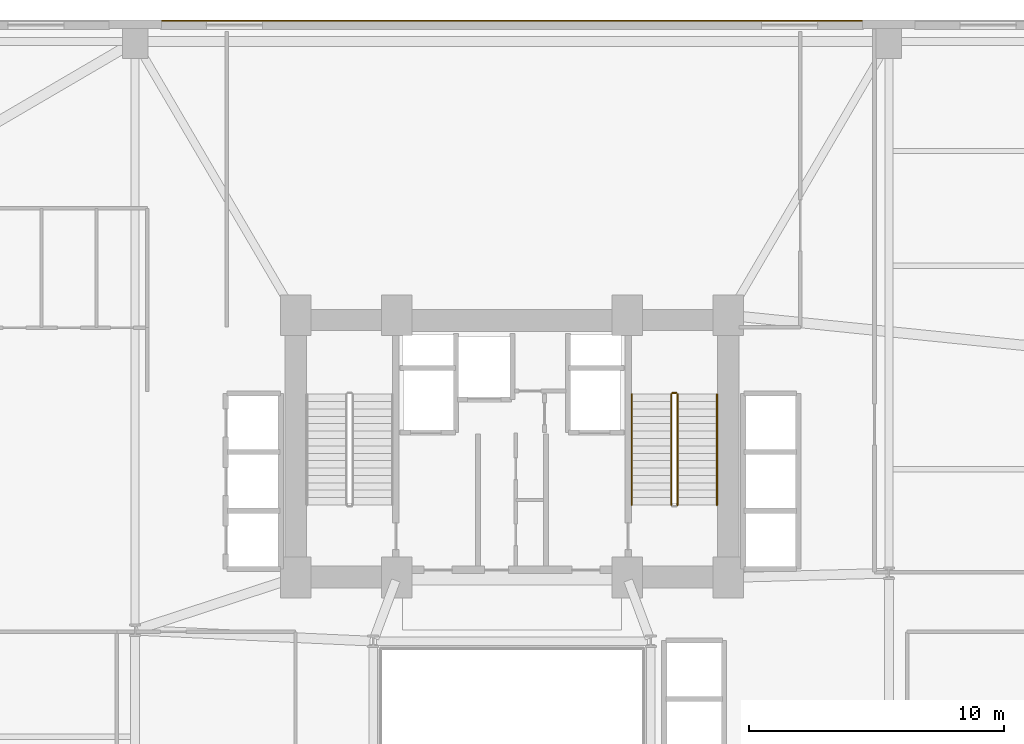
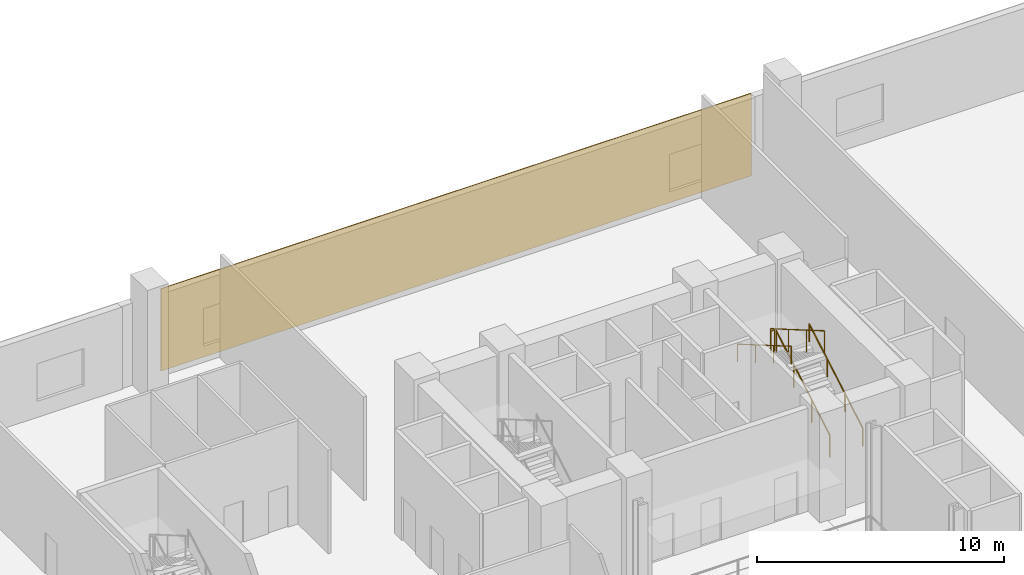
# One storey, part 35 of 36: 5 railings, 1 covering.
"""IFC4 building model written with IfcOpenShell, lengths in metres."""

from ifc_helpers import new_model, si_unit, direction, frame, origin, origin_2d, place, context, subcontext, project, spatial, rectangle, circle, extrude, source, transform, mapped, material, layer, layer_set, type_object, element, save


model = new_model("IFC4")

# Units and contexts
model_context = context("Model", 3, precision=1e-05, world=origin(), true_north=direction((0.0, 1.0)))
body_context = subcontext(model_context, "Body", "Model", "MODEL_VIEW")
ifc_project = project(units=[si_unit("LENGTHUNIT", "METRE"), si_unit("AREAUNIT", "SQUARE_METRE"), si_unit("VOLUMEUNIT", "CUBIC_METRE"), si_unit("PLANEANGLEUNIT", "RADIAN"), si_unit("MASSUNIT", "GRAM", prefix="KILO")], contexts=[model_context])

# Site, building, storey
site_placement = place(None, origin())
site = spatial("IfcSite", under=ifc_project, at=site_placement, CompositionType="ELEMENT")
building_placement = place(site_placement, origin())
building = spatial("IfcBuilding", under=site, at=building_placement, Name="Varnelok Gate Tower", CompositionType="ELEMENT")
storey_placement = place(building_placement, frame((0.0, 0.0, 10.800048828125)))
storey = spatial("IfcBuildingStorey", under=building, at=storey_placement, Name="L02", CompositionType="ELEMENT", Elevation=10.800048828125)

# Railings
ifc_material_1 = material(Name="Brushed Stainless Steel AISI 316", Category="steel")
railing_type_1 = type_object("IfcRailingType", Name="RL-HANDRAIL-900", PredefinedType="HANDRAIL", material=ifc_material_1)
railing_1_placement = place(storey_placement, frame((47.25, 31.60009765625, 0.168701171875)))
element("IfcRailing", 1, at=railing_1_placement, inside=storey, type_object=railing_type_1, Name="L02 ST-2 stair handrail 1", PredefinedType="HANDRAIL", context=body_context, shape_type="SweptSolid", body=[
    extrude(circle(Radius=0.02392578125, at=origin_2d()), frame((0.0, 0.0, 0.8759765625), z_axis=(0.0, 0.864311530196, 0.502956835891), x_axis=(-1.0, 0.0, 0.0)), (0.0, 0.0, 1.0), 5.03271484375),
    extrude(circle(Radius=0.02099609375, at=origin_2d()), origin(), (0.0, 0.0, 1.0), 0.851806640625),
    extrude(circle(Radius=0.02099609375, at=origin_2d()), frame((0.0, 1.449951171875, 0.84375)), (0.0, 0.0, 1.0), 0.851806640625),
    extrude(circle(Radius=0.02099609375, at=origin_2d()), frame((0.0, 2.89990234375, 1.6875)), (0.0, 0.0, 1.0), 0.851806640625),
    extrude(circle(Radius=0.02099609375, at=origin_2d()), frame((0.0, 4.349853515625, 2.53125)), (0.0, 0.0, 1.0), 0.851806640625),
])
railing_2_placement = place(storey_placement, frame((43.89990234375, 35.949951171875, 2.86865234375)))
element("IfcRailing", 2, at=railing_2_placement, inside=storey, type_object=railing_type_1, Name="L02 ST-2 stair handrail 2", PredefinedType="HANDRAIL", context=body_context, shape_type="SweptSolid", body=[
    extrude(circle(Radius=0.02392578125, at=origin_2d()), frame((0.0, 0.0, 0.8759765625), z_axis=(0.0, -0.864311530196, 0.502956835891), x_axis=(1.0, 0.0, 0.0)), (0.0, 0.0, 1.0), 5.03271484375),
    extrude(circle(Radius=0.02099609375, at=origin_2d()), origin(), (0.0, 0.0, 1.0), 0.851806640625),
    extrude(circle(Radius=0.02099609375, at=origin_2d()), frame((0.0, -1.449951171875, 0.84375)), (0.0, 0.0, 1.0), 0.851806640625),
    extrude(circle(Radius=0.02099609375, at=origin_2d()), frame((0.0, -2.89990234375, 1.6875)), (0.0, 0.0, 1.0), 0.851806640625),
    extrude(circle(Radius=0.02099609375, at=origin_2d()), frame((0.0, -4.349853515625, 2.53125)), (0.0, 0.0, 1.0), 0.851806640625),
])
ifc_material_2 = material(Name="Galvanized Steel Grade S350GD", Category="steel")
railing_type_2 = type_object("IfcRailingType", Name="RL-STAIR-GUARD1120", PredefinedType="GUARDRAIL", material=ifc_material_2)
railing_3_placement = place(storey_placement, frame((45.699951171875, 31.60009765625, 0.168701171875)))
element("IfcRailing", 3, at=railing_3_placement, inside=storey, type_object=railing_type_2, Name="L02 ST-2 stair guard 1", PredefinedType="GUARDRAIL", context=body_context, shape_type="SweptSolid", body=[
    extrude(circle(Radius=0.02392578125, at=origin_2d()), frame((0.0, 0.0, 1.09619140625), z_axis=(0.0, 0.864311530196, 0.502956835891), x_axis=(-1.0, 0.0, 0.0)), (0.0, 0.0, 1.0), 5.03271484375),
    extrude(circle(Radius=0.02099609375, at=origin_2d()), origin(), (0.0, 0.0, 1.0), 1.072021484375),
    extrude(circle(Radius=0.02099609375, at=origin_2d()), frame((0.0, 1.449951171875, 0.84375)), (0.0, 0.0, 1.0), 1.072021484375),
    extrude(circle(Radius=0.02099609375, at=origin_2d()), frame((0.0, 2.89990234375, 1.6875)), (0.0, 0.0, 1.0), 1.072021484375),
    extrude(circle(Radius=0.02099609375, at=origin_2d()), frame((0.0, 4.349853515625, 2.53125)), (0.0, 0.0, 1.0), 1.072021484375),
])
railing_4_placement = place(storey_placement, frame((45.64990234375, 36.0, 2.699951171875)))
element("IfcRailing", 4, at=railing_4_placement, inside=storey, type_object=railing_type_2, Name="L02 ST-2 stair guard 2", PredefinedType="GUARDRAIL", context=body_context, shape_type="SweptSolid", body=[
    extrude(circle(Radius=0.02392578125, at=origin_2d()), frame((0.0, 0.0, 1.09619140625), z_axis=(-1.0, 0.0, 0.0), x_axis=(0.0, -1.0, 0.0)), (0.0, 0.0, 1.0), 0.14990234375),
    extrude(circle(Radius=0.02099609375, at=origin_2d()), origin(), (0.0, 0.0, 1.0), 1.072021484375),
    extrude(circle(Radius=0.02099609375, at=origin_2d()), frame((-0.14990234375, 0.0, 0.0)), (0.0, 0.0, 1.0), 1.072021484375),
])
railing_5_placement = place(storey_placement, frame((45.449951171875, 35.949951171875, 2.86865234375)))
element("IfcRailing", 5, at=railing_5_placement, inside=storey, type_object=railing_type_2, Name="L02 ST-2 stair guard 3", PredefinedType="GUARDRAIL", context=body_context, shape_type="SweptSolid", body=[
    extrude(circle(Radius=0.02392578125, at=origin_2d()), frame((0.0, 0.0, 1.09619140625), z_axis=(0.0, -0.864311530196, 0.502956835891), x_axis=(1.0, 0.0, 0.0)), (0.0, 0.0, 1.0), 5.03271484375),
    extrude(circle(Radius=0.02099609375, at=origin_2d()), origin(), (0.0, 0.0, 1.0), 1.072021484375),
    extrude(circle(Radius=0.02099609375, at=origin_2d()), frame((0.0, -1.449951171875, 0.84375)), (0.0, 0.0, 1.0), 1.072021484375),
    extrude(circle(Radius=0.02099609375, at=origin_2d()), frame((0.0, -2.89990234375, 1.6875)), (0.0, 0.0, 1.0), 1.072021484375),
    extrude(circle(Radius=0.02099609375, at=origin_2d()), frame((0.0, -4.349853515625, 2.53125)), (0.0, 0.0, 1.0), 1.072021484375),
])

# Covering
ifc_material_3 = material(Name="Glazed Architectural Terracotta Ceramic", Category="masonry")
ifc_layer = layer(ifc_material_3, 0.044921875)
ifc_layer_set = layer_set([ifc_layer], Name="Glazed Architectural Terracotta Ceramic")
covering_type = type_object("IfcCoveringType", Name="COV-TERRA-CLAD", PredefinedType="CLADDING", material=ifc_layer_set)
shared_shape = source(origin(), body_context, "Body", "SweptSolid", [
    extrude(rectangle(XDim=27.60009765625, YDim=0.044921875, at=origin_2d()), origin(), (0.0, 0.0, 1.0), 4.070068359375),
])
covering_placement = place(storey_placement, frame((39.199951171875, 50.6220703125, 0.0), z_axis=(0.0, 0.0, 1.0), x_axis=(1.0, 0.0, 0.0)))
element("IfcCovering", 6, at=covering_placement, inside=storey, type_object=covering_type, Name="L02 Terracotta Podium Rainscreen Cladding N2", PredefinedType="CLADDING", context=body_context, shape_type="MappedRepresentation", body=[
    mapped(shared_shape, transform((0.0, 0.0, 0.0), scale=1.0)),
])

save(model, "model.ifc")
